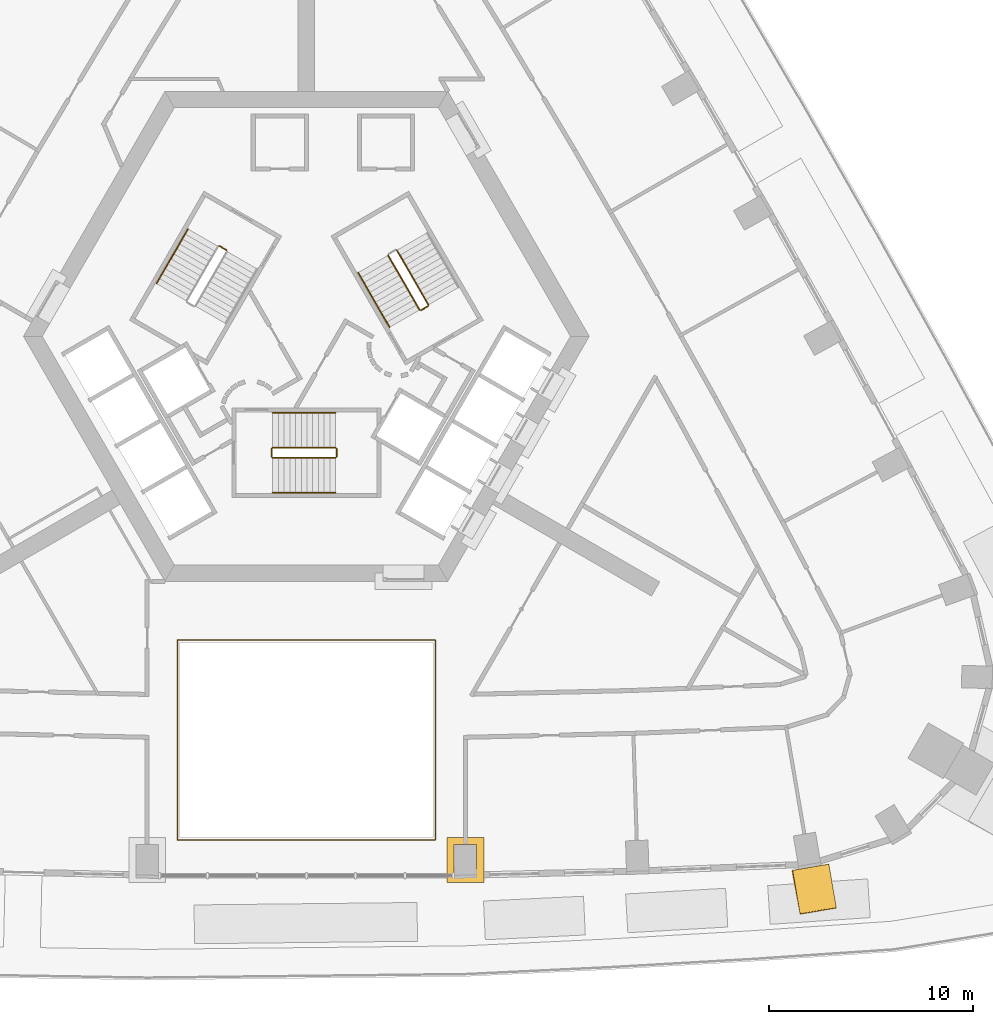
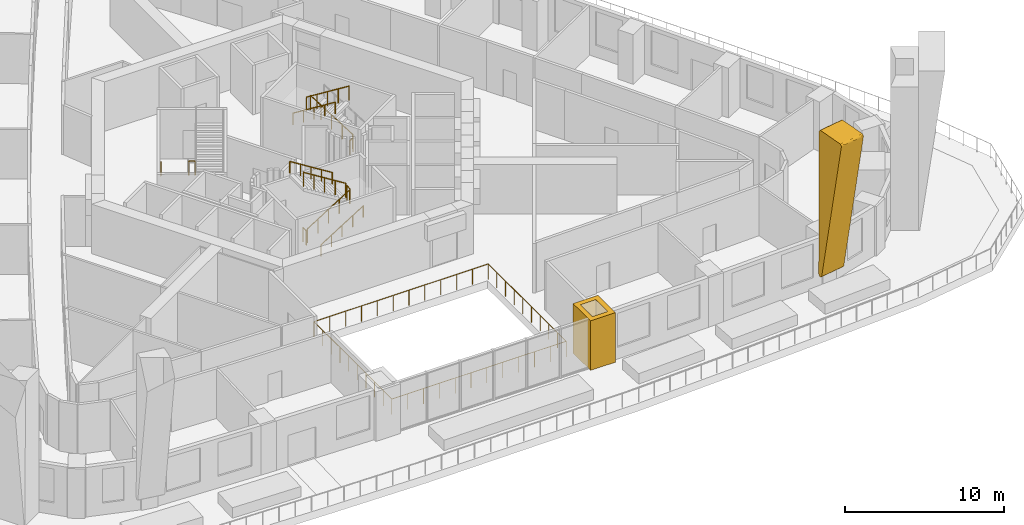
# One storey, part 14 of 16: 13 railings, 2 coverings.
"""IFC4 building model written with IfcOpenShell, lengths in metres."""

from ifc_helpers import new_model, si_unit, direction, frame, origin, origin_2d, place, context, subcontext, project, spatial, polyline, circle, outline, extrude, material, type_object, element, save


model = new_model("IFC4")

# Units and contexts
model_context = context("Model", 3, precision=1e-05, world=origin(), true_north=direction((0.0, 1.0)))
body_context = subcontext(model_context, "Body", "Model", "MODEL_VIEW")
ifc_project = project(units=[si_unit("LENGTHUNIT", "METRE"), si_unit("AREAUNIT", "SQUARE_METRE"), si_unit("VOLUMEUNIT", "CUBIC_METRE"), si_unit("PLANEANGLEUNIT", "RADIAN"), si_unit("MASSUNIT", "GRAM", prefix="KILO")], contexts=[model_context])

# Site, building, storey
site_placement = place(None, origin())
site = spatial("IfcSite", under=ifc_project, at=site_placement, CompositionType="ELEMENT")
building_placement = place(site_placement, origin())
building = spatial("IfcBuilding", under=site, at=building_placement, Name="Entoto Arch Interchange Tower", CompositionType="ELEMENT")
storey_placement = place(building_placement, frame((0.0, 0.0, 138.199951171875)))
storey = spatial("IfcBuildingStorey", under=building, at=storey_placement, Name="L30", CompositionType="ELEMENT", Elevation=138.199951171875)

# Railing
ifc_material_1 = material(Name="Stainless steel 1.4301", Category="steel")
railing_type_1 = type_object("IfcRailingType", Name="ATRIUM GUARD 1200 STEEL AND GLASS", PredefinedType="GUARDRAIL", material=ifc_material_1)
railing_1_placement = place(storey_placement, frame((6.320068359375, -22.160888671875, 0.0)))
element("IfcRailing", 1, at=railing_1_placement, inside=storey, type_object=railing_type_1, Name="Atrium guard L30", PredefinedType="GUARDRAIL", context=body_context, shape_type="SweptSolid", body=[
    extrude(circle(Radius=0.02392578125, at=origin_2d()), frame((0.0, 0.0, 1.17578125), z_axis=(-1.0, 0.0, 0.0), x_axis=(0.0, -1.0, 0.0)), (0.0, 0.0, 1.0), 12.64013671875),
    extrude(circle(Radius=0.02392578125, at=origin_2d()), frame((-12.64013671875, 0.0, 1.17578125), z_axis=(0.0, 1.0, 0.0), x_axis=(-1.0, 0.0, 0.0)), (0.0, 0.0, 1.0), 9.781005859375),
    extrude(circle(Radius=0.02392578125, at=origin_2d()), frame((-12.64013671875, 9.781005859375, 1.17578125), z_axis=(1.0, 0.0, 0.0), x_axis=(0.0, 1.0, 0.0)), (0.0, 0.0, 1.0), 12.64013671875),
    extrude(circle(Radius=0.02392578125, at=origin_2d()), frame((0.0, 9.781005859375, 1.17578125), z_axis=(0.0, -1.0, 0.0), x_axis=(1.0, 0.0, 0.0)), (0.0, 0.0, 1.0), 9.781005859375),
    extrude(circle(Radius=0.02099609375, at=origin_2d()), origin(), (0.0, 0.0, 1.0), 1.15185546875),
    extrude(circle(Radius=0.02099609375, at=origin_2d()), frame((-1.149169921875, 0.0, 0.0)), (0.0, 0.0, 1.0), 1.15185546875),
    extrude(circle(Radius=0.02099609375, at=origin_2d()), frame((-2.298095703125, 0.0, 0.0)), (0.0, 0.0, 1.0), 1.15185546875),
    extrude(circle(Radius=0.02099609375, at=origin_2d()), frame((-3.447265625, 0.0, 0.0)), (0.0, 0.0, 1.0), 1.15185546875),
    extrude(circle(Radius=0.02099609375, at=origin_2d()), frame((-4.596435546875, 0.0, 0.0)), (0.0, 0.0, 1.0), 1.15185546875),
    extrude(circle(Radius=0.02099609375, at=origin_2d()), frame((-5.74560546875, 0.0, 0.0)), (0.0, 0.0, 1.0), 1.15185546875),
    extrude(circle(Radius=0.02099609375, at=origin_2d()), frame((-6.89453125, 0.0, 0.0)), (0.0, 0.0, 1.0), 1.15185546875),
    extrude(circle(Radius=0.02099609375, at=origin_2d()), frame((-8.043701171875, 0.0, 0.0)), (0.0, 0.0, 1.0), 1.15185546875),
    extrude(circle(Radius=0.02099609375, at=origin_2d()), frame((-9.19287109375, 0.0, 0.0)), (0.0, 0.0, 1.0), 1.15185546875),
    extrude(circle(Radius=0.02099609375, at=origin_2d()), frame((-10.342041015625, 0.0, 0.0)), (0.0, 0.0, 1.0), 1.15185546875),
    extrude(circle(Radius=0.02099609375, at=origin_2d()), frame((-11.490966796875, 0.0, 0.0)), (0.0, 0.0, 1.0), 1.15185546875),
    extrude(circle(Radius=0.02099609375, at=origin_2d()), frame((-12.64013671875, 0.0, 0.0)), (0.0, 0.0, 1.0), 1.15185546875),
    extrude(circle(Radius=0.02099609375, at=origin_2d()), frame((-12.64013671875, 1.086669921875, 0.0)), (0.0, 0.0, 1.0), 1.15185546875),
    extrude(circle(Radius=0.02099609375, at=origin_2d()), frame((-12.64013671875, 2.173583984375, 0.0)), (0.0, 0.0, 1.0), 1.15185546875),
    extrude(circle(Radius=0.02099609375, at=origin_2d()), frame((-12.64013671875, 3.26025390625, 0.0)), (0.0, 0.0, 1.0), 1.15185546875),
    extrude(circle(Radius=0.02099609375, at=origin_2d()), frame((-12.64013671875, 4.34716796875, 0.0)), (0.0, 0.0, 1.0), 1.15185546875),
    extrude(circle(Radius=0.02099609375, at=origin_2d()), frame((-12.64013671875, 5.433837890625, 0.0)), (0.0, 0.0, 1.0), 1.15185546875),
    extrude(circle(Radius=0.02099609375, at=origin_2d()), frame((-12.64013671875, 6.520751953125, 0.0)), (0.0, 0.0, 1.0), 1.15185546875),
    extrude(circle(Radius=0.02099609375, at=origin_2d()), frame((-12.64013671875, 7.607421875, 0.0)), (0.0, 0.0, 1.0), 1.15185546875),
    extrude(circle(Radius=0.02099609375, at=origin_2d()), frame((-12.64013671875, 8.6943359375, 0.0)), (0.0, 0.0, 1.0), 1.15185546875),
    extrude(circle(Radius=0.02099609375, at=origin_2d()), frame((-12.64013671875, 9.781005859375, 0.0)), (0.0, 0.0, 1.0), 1.15185546875),
    extrude(circle(Radius=0.02099609375, at=origin_2d()), frame((-11.490966796875, 9.781005859375, 0.0)), (0.0, 0.0, 1.0), 1.15185546875),
    extrude(circle(Radius=0.02099609375, at=origin_2d()), frame((-10.342041015625, 9.781005859375, 0.0)), (0.0, 0.0, 1.0), 1.15185546875),
    extrude(circle(Radius=0.02099609375, at=origin_2d()), frame((-9.19287109375, 9.781005859375, 0.0)), (0.0, 0.0, 1.0), 1.15185546875),
    extrude(circle(Radius=0.02099609375, at=origin_2d()), frame((-8.043701171875, 9.781005859375, 0.0)), (0.0, 0.0, 1.0), 1.15185546875),
    extrude(circle(Radius=0.02099609375, at=origin_2d()), frame((-6.89453125, 9.781005859375, 0.0)), (0.0, 0.0, 1.0), 1.15185546875),
    extrude(circle(Radius=0.02099609375, at=origin_2d()), frame((-5.74560546875, 9.781005859375, 0.0)), (0.0, 0.0, 1.0), 1.15185546875),
    extrude(circle(Radius=0.02099609375, at=origin_2d()), frame((-4.596435546875, 9.781005859375, 0.0)), (0.0, 0.0, 1.0), 1.15185546875),
    extrude(circle(Radius=0.02099609375, at=origin_2d()), frame((-3.447265625, 9.781005859375, 0.0)), (0.0, 0.0, 1.0), 1.15185546875),
    extrude(circle(Radius=0.02099609375, at=origin_2d()), frame((-2.298095703125, 9.781005859375, 0.0)), (0.0, 0.0, 1.0), 1.15185546875),
    extrude(circle(Radius=0.02099609375, at=origin_2d()), frame((-1.149169921875, 9.781005859375, 0.0)), (0.0, 0.0, 1.0), 1.15185546875),
    extrude(circle(Radius=0.02099609375, at=origin_2d()), frame((0.0, 9.781005859375, 0.0)), (0.0, 0.0, 1.0), 1.15185546875),
    extrude(circle(Radius=0.02099609375, at=origin_2d()), frame((0.0, 8.6943359375, 0.0)), (0.0, 0.0, 1.0), 1.15185546875),
    extrude(circle(Radius=0.02099609375, at=origin_2d()), frame((0.0, 7.607421875, 0.0)), (0.0, 0.0, 1.0), 1.15185546875),
    extrude(circle(Radius=0.02099609375, at=origin_2d()), frame((0.0, 6.520751953125, 0.0)), (0.0, 0.0, 1.0), 1.15185546875),
    extrude(circle(Radius=0.02099609375, at=origin_2d()), frame((0.0, 5.433837890625, 0.0)), (0.0, 0.0, 1.0), 1.15185546875),
    extrude(circle(Radius=0.02099609375, at=origin_2d()), frame((0.0, 4.34716796875, 0.0)), (0.0, 0.0, 1.0), 1.15185546875),
    extrude(circle(Radius=0.02099609375, at=origin_2d()), frame((0.0, 3.26025390625, 0.0)), (0.0, 0.0, 1.0), 1.15185546875),
    extrude(circle(Radius=0.02099609375, at=origin_2d()), frame((0.0, 2.173583984375, 0.0)), (0.0, 0.0, 1.0), 1.15185546875),
    extrude(circle(Radius=0.02099609375, at=origin_2d()), frame((0.0, 1.086669921875, 0.0)), (0.0, 0.0, 1.0), 1.15185546875),
])

# Coverings
ifc_material_2 = material(Name="Board-marked precast concrete C50/60", Category="concrete")
covering_type = type_object("IfcCoveringType", Name="PRECAST FRAME COURSE", PredefinedType="CLADDING", material=ifc_material_2)
covering_1_placement = place(storey_placement, frame((23.83203125, -23.949951171875, 1.119140625), z_axis=(-0.985805319103, -0.167864467118, 0.003064883059), x_axis=(-0.054767208695, 0.304263704082, -0.951012171967)))
element("IfcCovering", 2, at=covering_1_placement, inside=storey, type_object=covering_type, Name="Fold rib S06 L30-L32", PredefinedType="CLADDING", context=body_context, shape_type="SweptSolid", body=[
    extrude(outline(polyline([(0.0, 0.0), (0.04543709063487667, -1.734723475976807e-18), (0.07419603099696924, -0.007914560052128677), (0.10041523925582627, -0.020660759441246616), (0.12421505351649104, -0.038587323159830246), (0.1439903578190482, -0.06072969397477914), (0.15837267282651676, -0.08601976634614014), (0.16749315431294323, -0.11407564667124223), (0.17195665077787564, -0.14360224386771897), (0.16996045231428597, -0.17299408480418935), (0.15643192175090342, -0.21588069239227356), (0.14027770877488183, -0.2404194081955428), (0.12000765959854694, -0.2617783251081101), (0.09518011502377396, -0.27938488569021847), (0.06849549217701387, -0.2912682973908162), (-10.303493953461585, -3.6623083919503348), (-10.332089138182575, -3.668313665883877), (-10.376432179790019, -3.6677425637537553), (-10.417796250167765, -3.65342019926195), (-10.453582975043975, -3.6278294872427104), (-10.473486046079653, -3.605303201586956), (-10.486865355132055, -3.579940162352303), (-11.076412038792368, -1.7694617038913183), (-11.082746351806234, -1.7405001451105597), (-11.083597234045524, -1.711823803895872), (-11.078464250983615, -1.6825969772103313), (-11.068182294924279, -1.6557886685514978), (-11.052943433871885, -1.6315905927881666), (-11.033676390650616, -1.6103046427388914), (-11.00970328576915, -1.5932289009305958), (-10.98310631695383, -1.5810778160533512), (-10.954973590959604, -1.5744260476103364), (0.0, 0.0)])), origin(), (0.0, 0.0, -1.0), 1.800048828125),
])
covering_2_placement = place(storey_placement, origin())
element("IfcCovering", 3, at=covering_2_placement, inside=storey, type_object=covering_type, Name="Gate pier L30", PredefinedType="CLADDING", context=body_context, shape_type="SweptSolid", body=[
    extrude(outline(polyline([(6.888916015625, -22.041015625), (8.68896484375, -22.041015625), (8.68896484375, -24.240966796875), (6.888916015625, -24.240966796875), (6.888916015625, -22.041015625)]), holes=[polyline([(7.239013671875, -22.39111328125), (7.239013671875, -23.89111328125), (8.339111328125, -23.89111328125), (8.339111328125, -22.39111328125), (7.239013671875, -22.39111328125)])]), origin(), (0.0, 0.0, 1.0), 3.800048828125),
])

# Railings
railing_type_2 = type_object("IfcRailingType", Name="STAIR GUARD 1100 STEEL", PredefinedType="GUARDRAIL", material=ifc_material_1)
railing_2_placement = place(storey_placement, frame((-1.64990234375, -3.449951171875, 0.175048828125)))
element("IfcRailing", 4, at=railing_2_placement, inside=storey, type_object=railing_type_2, Name="L30 ST-S stair guard 1", PredefinedType="GUARDRAIL", context=body_context, shape_type="SweptSolid", body=[
    extrude(circle(Radius=0.02392578125, at=origin_2d()), frame((0.0, 0.0, 1.076171875), z_axis=(0.847979421464, 0.0, 0.530029150871), x_axis=(0.0, 1.0, 0.0)), (0.0, 0.0, 1.0), 3.632080078125),
    extrude(circle(Radius=0.02099609375, at=origin_2d()), origin(), (0.0, 0.0, 1.0), 1.052001953125),
    extrude(circle(Radius=0.02099609375, at=origin_2d()), frame((0.77001953125, 0.0, 0.481201171875)), (0.0, 0.0, 1.0), 1.052001953125),
    extrude(circle(Radius=0.02099609375, at=origin_2d()), frame((1.5400390625, 0.0, 0.96240234375)), (0.0, 0.0, 1.0), 1.052001953125),
    extrude(circle(Radius=0.02099609375, at=origin_2d()), frame((2.309814453125, 0.0, 1.44384765625)), (0.0, 0.0, 1.0), 1.052001953125),
    extrude(circle(Radius=0.02099609375, at=origin_2d()), frame((3.079833984375, 0.0, 1.925048828125)), (0.0, 0.0, 1.0), 1.052001953125),
])
railing_3_placement = place(storey_placement, frame((1.47998046875, -3.39990234375, 2.10009765625)))
element("IfcRailing", 5, at=railing_3_placement, inside=storey, type_object=railing_type_2, Name="L30 ST-S stair guard 2", PredefinedType="GUARDRAIL", context=body_context, shape_type="SweptSolid", body=[
    extrude(circle(Radius=0.02392578125, at=origin_2d()), frame((0.0, 0.0, 1.076171875), z_axis=(0.0, 1.0, 0.0), x_axis=(-1.0, 0.0, 0.0)), (0.0, 0.0, 1.0), 0.39990234375),
    extrude(circle(Radius=0.02099609375, at=origin_2d()), origin(), (0.0, 0.0, 1.0), 1.052001953125),
    extrude(circle(Radius=0.02099609375, at=origin_2d()), frame((0.0, 0.39990234375, 0.0)), (0.0, 0.0, 1.0), 1.052001953125),
])
railing_4_placement = place(storey_placement, frame((1.429931640625, -2.949951171875, 2.275146484375)))
element("IfcRailing", 6, at=railing_4_placement, inside=storey, type_object=railing_type_2, Name="L30 ST-S stair guard 3", PredefinedType="GUARDRAIL", context=body_context, shape_type="SweptSolid", body=[
    extrude(circle(Radius=0.02392578125, at=origin_2d()), frame((0.0, 0.0, 1.076171875), z_axis=(-0.848009633417, 0.0, 0.529980812513), x_axis=(0.0, -1.0, 0.0)), (0.0, 0.0, 1.0), 3.6318359375),
    extrude(circle(Radius=0.02099609375, at=origin_2d()), origin(), (0.0, 0.0, 1.0), 1.052001953125),
    extrude(circle(Radius=0.02099609375, at=origin_2d()), frame((-0.77001953125, 0.0, 0.481201171875)), (0.0, 0.0, 1.0), 1.052001953125),
    extrude(circle(Radius=0.02099609375, at=origin_2d()), frame((-1.5400390625, 0.0, 0.96240234375)), (0.0, 0.0, 1.0), 1.052001953125),
    extrude(circle(Radius=0.02099609375, at=origin_2d()), frame((-2.309814453125, 0.0, 1.443603515625)), (0.0, 0.0, 1.0), 1.052001953125),
    extrude(circle(Radius=0.02099609375, at=origin_2d()), frame((-3.079833984375, 0.0, 1.9248046875)), (0.0, 0.0, 1.0), 1.052001953125),
])
railing_5_placement = place(storey_placement, frame((-1.699951171875, -3.39990234375, 0.0)))
element("IfcRailing", 7, at=railing_5_placement, inside=storey, type_object=railing_type_2, Name="L30 ST-S stair guard 4", PredefinedType="GUARDRAIL", context=body_context, shape_type="SweptSolid", body=[
    extrude(circle(Radius=0.02392578125, at=origin_2d()), frame((0.0, 0.0, 1.076171875), z_axis=(0.0, 1.0, 0.0), x_axis=(-1.0, 0.0, 0.0)), (0.0, 0.0, 1.0), 0.39990234375),
    extrude(circle(Radius=0.02099609375, at=origin_2d()), origin(), (0.0, 0.0, 1.0), 1.052001953125),
    extrude(circle(Radius=0.02099609375, at=origin_2d()), frame((0.0, 0.39990234375, 0.0)), (0.0, 0.0, 1.0), 1.052001953125),
])
railing_6_placement = place(storey_placement, frame((5.977783203125, 4.046142578125, 0.175048828125)))
element("IfcRailing", 8, at=railing_6_placement, inside=storey, type_object=railing_type_2, Name="L30 ST-NE stair guard 1", PredefinedType="GUARDRAIL", context=body_context, shape_type="SweptSolid", body=[
    extrude(circle(Radius=0.02392578125, at=origin_2d()), frame((0.0, 0.0, 1.076171875), z_axis=(-0.424015404183, 0.734364028329, 0.530019255228), x_axis=(-0.866010015463, -0.500026652407, 0.0)), (0.0, 0.0, 1.0), 3.632080078125),
    extrude(circle(Radius=0.02099609375, at=origin_2d()), origin(), (0.0, 0.0, 1.0), 1.052001953125),
    extrude(circle(Radius=0.02099609375, at=origin_2d()), frame((-0.385009765625, 0.666748046875, 0.481201171875)), (0.0, 0.0, 1.0), 1.052001953125),
    extrude(circle(Radius=0.02099609375, at=origin_2d()), frame((-0.77001953125, 1.33349609375, 0.96240234375)), (0.0, 0.0, 1.0), 1.052001953125),
    extrude(circle(Radius=0.02099609375, at=origin_2d()), frame((-1.155029296875, 2.00048828125, 1.44384765625)), (0.0, 0.0, 1.0), 1.052001953125),
    extrude(circle(Radius=0.02099609375, at=origin_2d()), frame((-1.5400390625, 2.667236328125, 1.925048828125)), (0.0, 0.0, 1.0), 1.052001953125),
])
railing_7_placement = place(storey_placement, frame((4.0048828125, 6.46337890625, 2.275146484375)))
element("IfcRailing", 9, at=railing_7_placement, inside=storey, type_object=railing_type_2, Name="L30 ST-NE stair guard 3", PredefinedType="GUARDRAIL", context=body_context, shape_type="SweptSolid", body=[
    extrude(circle(Radius=0.02392578125, at=origin_2d()), frame((0.0, 0.0, 1.076171875), z_axis=(0.42403051051, -0.734390191396, 0.529970917068), x_axis=(0.866010015463, 0.500026652407, 0.0)), (0.0, 0.0, 1.0), 3.6318359375),
    extrude(circle(Radius=0.02099609375, at=origin_2d()), origin(), (0.0, 0.0, 1.0), 1.052001953125),
    extrude(circle(Radius=0.02099609375, at=origin_2d()), frame((0.385009765625, -0.666748046875, 0.481201171875)), (0.0, 0.0, 1.0), 1.052001953125),
    extrude(circle(Radius=0.02099609375, at=origin_2d()), frame((0.77001953125, -1.33349609375, 0.96240234375)), (0.0, 0.0, 1.0), 1.052001953125),
    extrude(circle(Radius=0.02099609375, at=origin_2d()), frame((1.155029296875, -2.00048828125, 1.443603515625)), (0.0, 0.0, 1.0), 1.052001953125),
    extrude(circle(Radius=0.02099609375, at=origin_2d()), frame((1.5400390625, -2.667236328125, 1.9248046875)), (0.0, 0.0, 1.0), 1.052001953125),
])
railing_8_placement = place(storey_placement, frame((5.95947265625, 3.977783203125, 0.0)))
element("IfcRailing", 10, at=railing_8_placement, inside=storey, type_object=railing_type_2, Name="L30 ST-NE stair guard 4", PredefinedType="GUARDRAIL", context=body_context, shape_type="SweptSolid", body=[
    extrude(circle(Radius=0.02392578125, at=origin_2d()), frame((0.0, 0.0, 1.076171875), z_axis=(-0.866094119867, -0.499880961361, 0.0), x_axis=(0.499880961361, -0.866094119867, 0.0)), (0.0, 0.0, 1.0), 0.39990234375),
    extrude(circle(Radius=0.02099609375, at=origin_2d()), origin(), (0.0, 0.0, 1.0), 1.052001953125),
    extrude(circle(Radius=0.02099609375, at=origin_2d()), frame((-0.346435546875, -0.199951171875, 0.0)), (0.0, 0.0, 1.0), 1.052001953125),
])
railing_9_placement = place(storey_placement, frame((-4.259521484375, 6.92236328125, 0.0)))
element("IfcRailing", 11, at=railing_9_placement, inside=storey, type_object=railing_type_2, Name="L30 ST-NW stair guard 4", PredefinedType="GUARDRAIL", context=body_context, shape_type="SweptSolid", body=[
    extrude(circle(Radius=0.02392578125, at=origin_2d()), frame((0.0, 0.0, 1.076171875), z_axis=(0.865829829939, -0.500338590944, 0.0), x_axis=(0.500338590944, 0.865829829939, 0.0)), (0.0, 0.0, 1.0), 0.400146484375),
    extrude(circle(Radius=0.02099609375, at=origin_2d()), origin(), (0.0, 0.0, 1.0), 1.052001953125),
    extrude(circle(Radius=0.02099609375, at=origin_2d()), frame((0.346435546875, -0.2001953125, 0.0)), (0.0, 0.0, 1.0), 1.052001953125),
])
railing_type_3 = type_object("IfcRailingType", Name="STAIR HANDRAIL 900 STEEL", PredefinedType="HANDRAIL", material=ifc_material_1)
railing_10_placement = place(storey_placement, frame((-1.64990234375, -5.14990234375, 0.175048828125)))
element("IfcRailing", 12, at=railing_10_placement, inside=storey, type_object=railing_type_3, Name="L30 ST-S stair handrail 1", PredefinedType="HANDRAIL", context=body_context, shape_type="SweptSolid", body=[
    extrude(circle(Radius=0.02392578125, at=origin_2d()), frame((0.0, 0.0, 0.8759765625), z_axis=(0.847979421464, 0.0, 0.530029150871), x_axis=(0.0, 1.0, 0.0)), (0.0, 0.0, 1.0), 3.632080078125),
    extrude(circle(Radius=0.02099609375, at=origin_2d()), origin(), (0.0, 0.0, 1.0), 0.851806640625),
    extrude(circle(Radius=0.02099609375, at=origin_2d()), frame((0.77001953125, 0.0, 0.481201171875)), (0.0, 0.0, 1.0), 0.851806640625),
    extrude(circle(Radius=0.02099609375, at=origin_2d()), frame((1.5400390625, 0.0, 0.96240234375)), (0.0, 0.0, 1.0), 0.851806640625),
    extrude(circle(Radius=0.02099609375, at=origin_2d()), frame((2.309814453125, 0.0, 1.44384765625)), (0.0, 0.0, 1.0), 0.851806640625),
    extrude(circle(Radius=0.02099609375, at=origin_2d()), frame((3.079833984375, 0.0, 1.925048828125)), (0.0, 0.0, 1.0), 0.851806640625),
])
railing_11_placement = place(storey_placement, frame((1.429931640625, -1.25, 2.275146484375)))
element("IfcRailing", 13, at=railing_11_placement, inside=storey, type_object=railing_type_3, Name="L30 ST-S stair handrail 2", PredefinedType="HANDRAIL", context=body_context, shape_type="SweptSolid", body=[
    extrude(circle(Radius=0.02392578125, at=origin_2d()), frame((0.0, 0.0, 0.8759765625), z_axis=(-0.848009633417, 0.0, 0.529980812513), x_axis=(0.0, -1.0, 0.0)), (0.0, 0.0, 1.0), 3.6318359375),
    extrude(circle(Radius=0.02099609375, at=origin_2d()), origin(), (0.0, 0.0, 1.0), 0.851806640625),
    extrude(circle(Radius=0.02099609375, at=origin_2d()), frame((-0.77001953125, 0.0, 0.481201171875)), (0.0, 0.0, 1.0), 0.851806640625),
    extrude(circle(Radius=0.02099609375, at=origin_2d()), frame((-1.5400390625, 0.0, 0.96240234375)), (0.0, 0.0, 1.0), 0.851806640625),
    extrude(circle(Radius=0.02099609375, at=origin_2d()), frame((-2.309814453125, 0.0, 1.443603515625)), (0.0, 0.0, 1.0), 0.851806640625),
    extrude(circle(Radius=0.02099609375, at=origin_2d()), frame((-3.079833984375, 0.0, 1.9248046875)), (0.0, 0.0, 1.0), 0.851806640625),
])
railing_12_placement = place(storey_placement, frame((2.53271484375, 5.613525390625, 2.275146484375)))
element("IfcRailing", 14, at=railing_12_placement, inside=storey, type_object=railing_type_3, Name="L30 ST-NE stair handrail 2", PredefinedType="HANDRAIL", context=body_context, shape_type="SweptSolid", body=[
    extrude(circle(Radius=0.02392578125, at=origin_2d()), frame((0.0, 0.0, 0.8759765625), z_axis=(0.423954442778, -0.734442086855, 0.52995985839), x_axis=(0.866064153644, 0.499932877268, 0.0)), (0.0, 0.0, 1.0), 3.632080078125),
    extrude(circle(Radius=0.02099609375, at=origin_2d()), origin(), (0.0, 0.0, 1.0), 0.851806640625),
    extrude(circle(Radius=0.02099609375, at=origin_2d()), frame((0.385009765625, -0.6669921875, 0.481201171875)), (0.0, 0.0, 1.0), 0.851806640625),
    extrude(circle(Radius=0.02099609375, at=origin_2d()), frame((0.77001953125, -1.333740234375, 0.96240234375)), (0.0, 0.0, 1.0), 0.851806640625),
    extrude(circle(Radius=0.02099609375, at=origin_2d()), frame((1.15478515625, -2.00048828125, 1.443603515625)), (0.0, 0.0, 1.0), 0.851806640625),
    extrude(circle(Radius=0.02099609375, at=origin_2d()), frame((1.539794921875, -2.66748046875, 1.9248046875)), (0.0, 0.0, 1.0), 0.851806640625),
])
railing_13_placement = place(storey_placement, frame((-5.800048828125, 7.75390625, 0.175048828125)))
element("IfcRailing", 15, at=railing_13_placement, inside=storey, type_object=railing_type_3, Name="L30 ST-NW stair handrail 1", PredefinedType="HANDRAIL", context=body_context, shape_type="SweptSolid", body=[
    extrude(circle(Radius=0.02392578125, at=origin_2d()), frame((0.0, 0.0, 0.8759765625), z_axis=(-0.424015404183, -0.734364028329, 0.530019255228), x_axis=(0.866010015463, -0.500026652407, 0.0)), (0.0, 0.0, 1.0), 3.632080078125),
    extrude(circle(Radius=0.02099609375, at=origin_2d()), origin(), (0.0, 0.0, 1.0), 0.851806640625),
    extrude(circle(Radius=0.02099609375, at=origin_2d()), frame((-0.385009765625, -0.666748046875, 0.481201171875)), (0.0, 0.0, 1.0), 0.851806640625),
    extrude(circle(Radius=0.02099609375, at=origin_2d()), frame((-0.77001953125, -1.33349609375, 0.96240234375)), (0.0, 0.0, 1.0), 0.851806640625),
    extrude(circle(Radius=0.02099609375, at=origin_2d()), frame((-1.155029296875, -2.00048828125, 1.44384765625)), (0.0, 0.0, 1.0), 0.851806640625),
    extrude(circle(Radius=0.02099609375, at=origin_2d()), frame((-1.5400390625, -2.667236328125, 1.925048828125)), (0.0, 0.0, 1.0), 0.851806640625),
])

save(model, "model.ifc")
